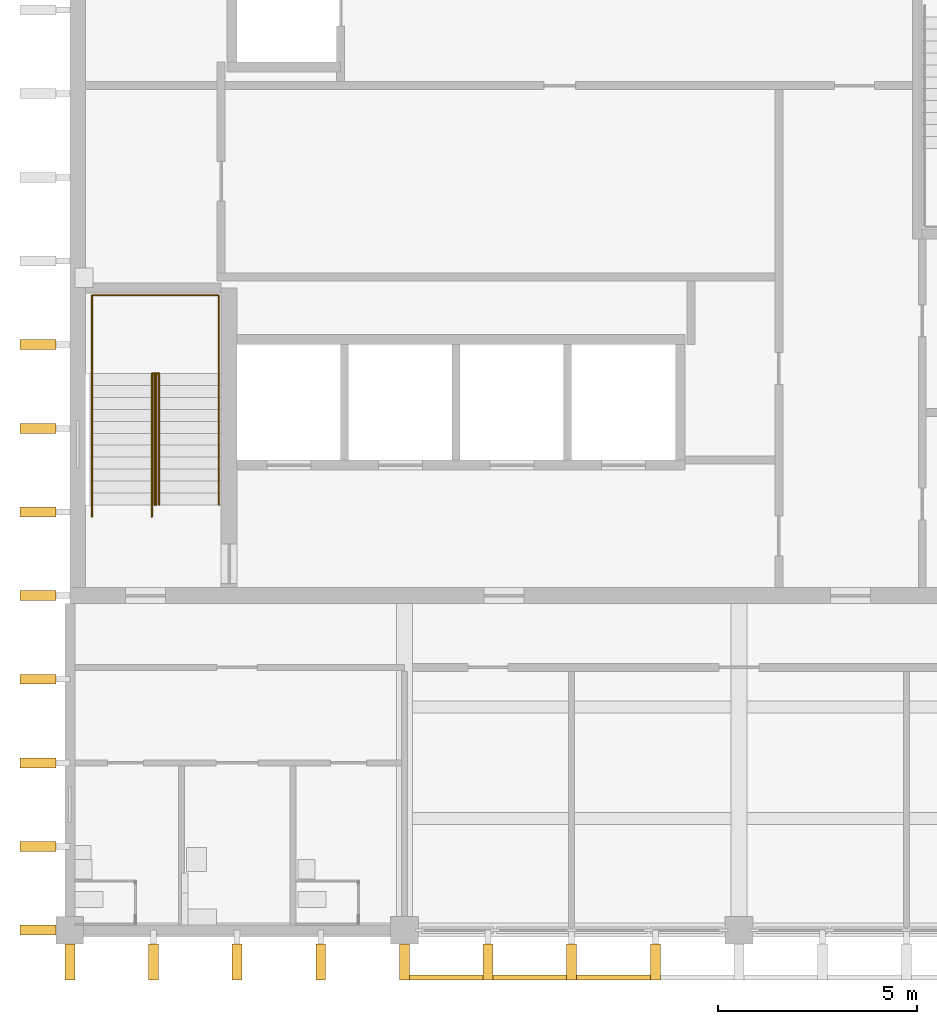
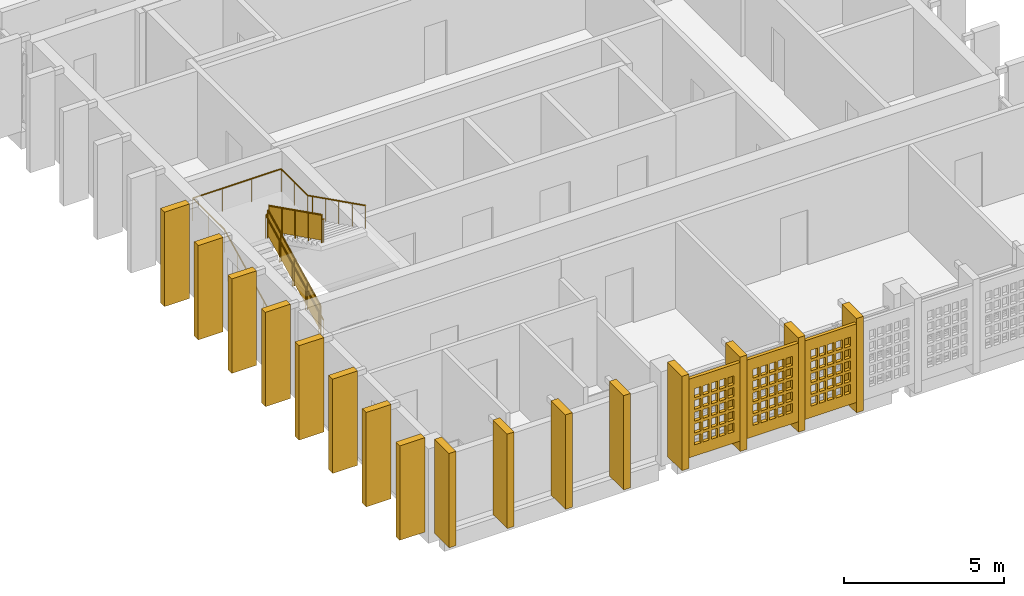
# One storey, part 7 of 13: 19 shading devices, 4 railings, 3 openings.
"""IFC4 building model written with IfcOpenShell, lengths in metres."""

from ifc_helpers import new_model, si_unit, direction, frame, origin, origin_2d, place, context, subcontext, project, spatial, polyline, rectangle, circle, outline, extrude, material, layer, layer_set, material_profile, profile_set, type_object, element, save


model = new_model("IFC4")

# Units and contexts
model_context = context("Model", 3, precision=1e-05, world=origin(), true_north=direction((0.0, 1.0)))
body_context = subcontext(model_context, "Body", "Model", "MODEL_VIEW")
ifc_project = project(units=[si_unit("LENGTHUNIT", "METRE"), si_unit("AREAUNIT", "SQUARE_METRE"), si_unit("VOLUMEUNIT", "CUBIC_METRE"), si_unit("PLANEANGLEUNIT", "RADIAN"), si_unit("MASSUNIT", "GRAM", prefix="KILO")], contexts=[model_context])

# Site, building, storey
site_placement = place(None, origin())
site = spatial("IfcSite", under=ifc_project, at=site_placement, CompositionType="ELEMENT")
building_placement = place(site_placement, origin())
building = spatial("IfcBuilding", under=site, at=building_placement, Name="Rulbaag Community and Learning Centre", CompositionType="ELEMENT")
storey_placement = place(building_placement, frame((0.0, 0.0, 54.0)))
storey = spatial("IfcBuildingStorey", under=building, at=storey_placement, Name="L14", CompositionType="ELEMENT", Elevation=54.0)

# Shading devices
ifc_material_1 = material(Name="Concrete M40", Category="concrete")
ifc_material_profile = material_profile(ifc_material_1, rectangle(XDim=0.25, YDim=0.89990234375, at=origin_2d()), Name="PC 250x900")
ifc_profile_set = profile_set([ifc_material_profile], Name="Concrete M40")
shading_device_type_1 = type_object("IfcShadingDeviceType", Name="FIN-H", PredefinedType="JALOUSIE", material=ifc_profile_set)
for number, where, z_axis, x_axis, name in (
    (1, (142.800048828125, 83.199951171875, 0.0), (0.0, 0.0, 1.0), (1.0, 0.0, 0.0), "Precast fin"),
    (2, (144.89990234375, 83.199951171875, 0.0), (0.0, 0.0, 1.0), (1.0, 0.0, 0.0), "Precast fin"),
    (3, (147.0, 83.199951171875, 0.0), (0.0, 0.0, 1.0), (1.0, 0.0, 0.0), "Precast fin"),
    (4, (149.10009765625, 83.199951171875, 0.0), (0.0, 0.0, 1.0), (1.0, 0.0, 0.0), "Precast fin"),
    (5, (151.199951171875, 83.199951171875, 0.0), (0.0, 0.0, 1.0), (1.0, 0.0, 0.0), "Precast fin"),
    (6, (153.300048828125, 83.199951171875, 0.0), (0.0, 0.0, 1.0), (1.0, 0.0, 0.0), "Precast fin"),
    (7, (155.39990234375, 83.199951171875, 0.0), (0.0, 0.0, 1.0), (1.0, 0.0, 0.0), "Precast fin"),
    (8, (157.5, 83.199951171875, 0.0), (0.0, 0.0, 1.0), (1.0, 0.0, 0.0), "Precast fin"),
    (9, (142.0, 84.0, 0.0), (0.0, 0.0, 1.0), (0.0, 1.0, 0.0), "Precast fin"),
    (10, (142.0, 86.10009765625, 0.0), (0.0, 0.0, 1.0), (0.0, 1.0, 0.0), "Precast fin"),
    (11, (142.0, 88.199951171875, 0.0), (0.0, 0.0, 1.0), (0.0, 1.0, 0.0), "Precast fin"),
    (12, (142.0, 90.300048828125, 0.0), (0.0, 0.0, 1.0), (0.0, 1.0, 0.0), "Precast fin"),
    (13, (142.0, 92.39990234375, 0.0), (0.0, 0.0, 1.0), (0.0, 1.0, 0.0), "Precast fin"),
    (14, (142.0, 94.5, 0.0), (0.0, 0.0, 1.0), (0.0, 1.0, 0.0), "Precast fin"),
    (15, (142.0, 96.60009765625, 0.0), (0.0, 0.0, 1.0), (0.0, 1.0, 0.0), "Precast fin"),
    (16, (142.0, 98.699951171875, 0.0), (0.0, 0.0, 1.0), (0.0, 1.0, 0.0), "Precast fin"),
):
    element("IfcShadingDevice", number, at=place(storey_placement, frame(where, z_axis=z_axis, x_axis=x_axis)), inside=storey, type_object=shading_device_type_1, Name=name, PredefinedType="JALOUSIE", context=body_context, shape_type="SweptSolid", body=[
        extrude(rectangle(XDim=0.25, YDim=0.89990234375, at=origin_2d()), origin(), (0.0, 0.0, 1.0), 3.60009765625),
    ])

# Railings
ifc_material_2 = material(Name="Galvanised mild steel", Category="steel")
railing_type_1 = type_object("IfcRailingType", Name="GR-1100 GUARD 1100", PredefinedType="GUARDRAIL", material=ifc_material_2)
railing_1_placement = place(storey_placement, frame((144.929931640625, 94.675048828125, 0.14990234375)))
element("IfcRailing", 17, at=railing_1_placement, inside=storey, type_object=railing_type_1, Name="Guard ST1 L14 G", PredefinedType="GUARDRAIL", context=body_context, shape_type="SweptSolid", body=[
    extrude(circle(Radius=0.02490234375, at=origin_2d()), frame((0.0, 0.0, 1.0751953125), z_axis=(0.0, 0.894413956696, 0.447240063129), x_axis=(-1.0, 0.0, 0.0)), (0.0, 0.0, 1.0), 3.689697265625),
    extrude(circle(Radius=0.02001953125, at=origin_2d()), origin(), (0.0, 0.0, 1.0), 1.050048828125),
    extrude(circle(Radius=0.02001953125, at=origin_2d()), frame((0.0, 0.824951171875, 0.41259765625)), (0.0, 0.0, 1.0), 1.050048828125),
    extrude(circle(Radius=0.02001953125, at=origin_2d()), frame((0.0, 1.64990234375, 0.8251953125)), (0.0, 0.0, 1.0), 1.050048828125),
    extrude(circle(Radius=0.02001953125, at=origin_2d()), frame((0.0, 2.47509765625, 1.237548828125)), (0.0, 0.0, 1.0), 1.050048828125),
    extrude(circle(Radius=0.02001953125, at=origin_2d()), frame((0.0, 3.300048828125, 1.650146484375)), (0.0, 0.0, 1.0), 1.050048828125),
    extrude(outline(polyline([(0.0, 0.0), (3.300048828125, 1.650146484375), (3.300048828125, 2.60009765625), (0.0, 0.949951171875), (0.0, 0.0)])), frame((-0.0048828125, 0.0, 0.10009765625), z_axis=(1.0, 0.0, 0.0), x_axis=(0.0, 1.0, 0.0)), (0.0, 0.0, 1.0), 0.010009765625),
])
railing_2_placement = place(storey_placement, frame((144.969970703125, 97.97509765625, 1.949951171875)))
element("IfcRailing", 18, at=railing_2_placement, inside=storey, type_object=railing_type_1, Name="Guard ST1 L14 G2", PredefinedType="GUARDRAIL", context=body_context, shape_type="SweptSolid", body=[
    extrude(circle(Radius=0.02490234375, at=origin_2d()), frame((0.0, 0.0, 1.0751953125), z_axis=(0.0, -0.894413956696, 0.447240063129), x_axis=(1.0, 0.0, 0.0)), (0.0, 0.0, 1.0), 3.689697265625),
    extrude(circle(Radius=0.02001953125, at=origin_2d()), origin(), (0.0, 0.0, 1.0), 1.050048828125),
    extrude(circle(Radius=0.02001953125, at=origin_2d()), frame((0.0, -0.824951171875, 0.41259765625)), (0.0, 0.0, 1.0), 1.050048828125),
    extrude(circle(Radius=0.02001953125, at=origin_2d()), frame((0.0, -1.64990234375, 0.8251953125)), (0.0, 0.0, 1.0), 1.050048828125),
    extrude(circle(Radius=0.02001953125, at=origin_2d()), frame((0.0, -2.47509765625, 1.237548828125)), (0.0, 0.0, 1.0), 1.050048828125),
    extrude(circle(Radius=0.02001953125, at=origin_2d()), frame((0.0, -3.300048828125, 1.650146484375)), (0.0, 0.0, 1.0), 1.050048828125),
    extrude(outline(polyline([(0.0, 0.0), (3.300048828125, 1.650146484375), (3.300048828125, 2.60009765625), (0.0, 0.949951171875), (0.0, 0.0)])), frame((0.0048828125, 0.0, 0.10009765625), z_axis=(-1.0, 0.0, 0.0), x_axis=(0.0, -1.0, 0.0)), (0.0, 0.0, 1.0), 0.010009765625),
])
ifc_material_3 = material(Name="Stainless steel grade 316", Category="steel")
railing_type_2 = type_object("IfcRailingType", Name="HR-900 HANDRAIL 900", PredefinedType="HANDRAIL", material=ifc_material_3)
railing_3_placement = place(storey_placement, frame((143.360107421875, 94.375, 0.0)))
element("IfcRailing", 19, at=railing_3_placement, inside=storey, type_object=railing_type_2, Name="Handrail ST1 L14 O", PredefinedType="HANDRAIL", context=body_context, shape_type="SweptSolid", body=[
    extrude(circle(Radius=0.024169921875, at=origin_2d()), frame((0.0, 0.0, 0.875732421875), z_axis=(0.0, 0.894572720946, 0.446922417137), x_axis=(-1.0, 0.0, 0.0)), (0.0, 0.0, 1.0), 0.33544921875),
    extrude(circle(Radius=0.024169921875, at=origin_2d()), frame((0.0, 0.300048828125, 1.025634765625), z_axis=(0.0, 0.894413956696, 0.447240063129), x_axis=(-1.0, 0.0, 0.0)), (0.0, 0.0, 1.0), 3.689697265625),
    extrude(circle(Radius=0.024169921875, at=origin_2d()), frame((0.0, 3.60009765625, 2.67578125), z_axis=(0.0, 1.0, 0.0), x_axis=(-1.0, 0.0, 0.0)), (0.0, 0.0, 1.0), 1.96484375),
    extrude(circle(Radius=0.024169921875, at=origin_2d()), frame((0.0, 5.56494140625, 2.67578125), z_axis=(1.0, 0.0, 0.0), x_axis=(0.0, 1.0, 0.0)), (0.0, 0.0, 1.0), 3.179931640625),
    extrude(circle(Radius=0.024169921875, at=origin_2d()), frame((3.179931640625, 5.56494140625, 2.67578125), z_axis=(0.0, -1.0, 0.0), x_axis=(1.0, 0.0, 0.0)), (0.0, 0.0, 1.0), 1.6650390625),
    extrude(circle(Radius=0.024169921875, at=origin_2d()), frame((3.179931640625, 3.89990234375, 2.67578125), z_axis=(0.0, -0.894427191, 0.4472135955), x_axis=(1.0, 0.0, 0.0)), (0.0, 0.0, 1.0), 0.335205078125),
    extrude(circle(Radius=0.024169921875, at=origin_2d()), frame((3.179931640625, 3.60009765625, 2.82568359375), z_axis=(0.0, -0.894413956696, 0.447240063129), x_axis=(1.0, 0.0, 0.0)), (0.0, 0.0, 1.0), 3.689697265625),
    extrude(circle(Radius=0.008056640625, at=origin_2d()), origin(), (0.0, 0.0, 1.0), 0.8515625),
    extrude(circle(Radius=0.008056640625, at=origin_2d()), frame((0.0, 0.300048828125, 0.14990234375)), (0.0, 0.0, 1.0), 0.8515625),
    extrude(circle(Radius=0.008056640625, at=origin_2d()), frame((0.0, 1.125, 0.5625)), (0.0, 0.0, 1.0), 0.8515625),
    extrude(circle(Radius=0.008056640625, at=origin_2d()), frame((0.0, 1.9501953125, 0.97509765625)), (0.0, 0.0, 1.0), 0.8515625),
    extrude(circle(Radius=0.008056640625, at=origin_2d()), frame((0.0, 2.775146484375, 1.387451171875)), (0.0, 0.0, 1.0), 0.8515625),
    extrude(circle(Radius=0.008056640625, at=origin_2d()), frame((0.0, 3.60009765625, 1.800048828125)), (0.0, 0.0, 1.0), 0.8515625),
    extrude(circle(Radius=0.008056640625, at=origin_2d()), frame((0.0, 4.58251953125, 1.800048828125)), (0.0, 0.0, 1.0), 0.8515625),
    extrude(circle(Radius=0.008056640625, at=origin_2d()), frame((0.0, 5.56494140625, 1.800048828125)), (0.0, 0.0, 1.0), 0.8515625),
    extrude(circle(Radius=0.008056640625, at=origin_2d()), frame((1.06005859375, 5.56494140625, 1.800048828125)), (0.0, 0.0, 1.0), 0.8515625),
    extrude(circle(Radius=0.008056640625, at=origin_2d()), frame((2.119873046875, 5.56494140625, 1.800048828125)), (0.0, 0.0, 1.0), 0.8515625),
    extrude(circle(Radius=0.008056640625, at=origin_2d()), frame((3.179931640625, 5.56494140625, 1.800048828125)), (0.0, 0.0, 1.0), 0.8515625),
    extrude(circle(Radius=0.008056640625, at=origin_2d()), frame((3.179931640625, 4.732421875, 1.800048828125)), (0.0, 0.0, 1.0), 0.8515625),
    extrude(circle(Radius=0.008056640625, at=origin_2d()), frame((3.179931640625, 3.89990234375, 1.800048828125)), (0.0, 0.0, 1.0), 0.8515625),
    extrude(circle(Radius=0.008056640625, at=origin_2d()), frame((3.179931640625, 3.60009765625, 1.949951171875)), (0.0, 0.0, 1.0), 0.8515625),
    extrude(circle(Radius=0.008056640625, at=origin_2d()), frame((3.179931640625, 2.775146484375, 2.362548828125)), (0.0, 0.0, 1.0), 0.8515625),
    extrude(circle(Radius=0.008056640625, at=origin_2d()), frame((3.179931640625, 1.9501953125, 2.77490234375)), (0.0, 0.0, 1.0), 0.8515625),
    extrude(circle(Radius=0.008056640625, at=origin_2d()), frame((3.179931640625, 1.125, 3.1875)), (0.0, 0.0, 1.0), 0.8515625),
    extrude(circle(Radius=0.008056640625, at=origin_2d()), frame((3.179931640625, 0.300048828125, 3.60009765625)), (0.0, 0.0, 1.0), 0.8515625),
])
railing_4_placement = place(storey_placement, frame((144.860107421875, 94.375, 0.0)))
element("IfcRailing", 20, at=railing_4_placement, inside=storey, type_object=railing_type_2, Name="Handrail ST1 L14 I", PredefinedType="HANDRAIL", context=body_context, shape_type="SweptSolid", body=[
    extrude(circle(Radius=0.024169921875, at=origin_2d()), frame((0.0, 0.0, 0.875732421875), z_axis=(0.0, 0.894572720946, 0.446922417137), x_axis=(-1.0, 0.0, 0.0)), (0.0, 0.0, 1.0), 0.33544921875),
    extrude(circle(Radius=0.024169921875, at=origin_2d()), frame((0.0, 0.300048828125, 1.025634765625), z_axis=(0.0, 0.894413956696, 0.447240063129), x_axis=(-1.0, 0.0, 0.0)), (0.0, 0.0, 1.0), 3.689697265625),
    extrude(circle(Radius=0.024169921875, at=origin_2d()), frame((0.0, 3.60009765625, 2.67578125), z_axis=(0.768306721819, 0.0, 0.640081855084), x_axis=(0.0, 1.0, 0.0)), (0.0, 0.0, 1.0), 0.234130859375),
    extrude(circle(Radius=0.024169921875, at=origin_2d()), frame((0.179931640625, 3.60009765625, 2.82568359375), z_axis=(0.0, -0.894413956696, 0.447240063129), x_axis=(1.0, 0.0, 0.0)), (0.0, 0.0, 1.0), 3.689697265625),
    extrude(circle(Radius=0.008056640625, at=origin_2d()), origin(), (0.0, 0.0, 1.0), 0.8515625),
    extrude(circle(Radius=0.008056640625, at=origin_2d()), frame((0.0, 0.300048828125, 0.14990234375)), (0.0, 0.0, 1.0), 0.8515625),
    extrude(circle(Radius=0.008056640625, at=origin_2d()), frame((0.0, 1.125, 0.5625)), (0.0, 0.0, 1.0), 0.8515625),
    extrude(circle(Radius=0.008056640625, at=origin_2d()), frame((0.0, 1.9501953125, 0.97509765625)), (0.0, 0.0, 1.0), 0.8515625),
    extrude(circle(Radius=0.008056640625, at=origin_2d()), frame((0.0, 2.775146484375, 1.387451171875)), (0.0, 0.0, 1.0), 0.8515625),
    extrude(circle(Radius=0.008056640625, at=origin_2d()), frame((0.0, 3.60009765625, 1.800048828125)), (0.0, 0.0, 1.0), 0.8515625),
    extrude(circle(Radius=0.008056640625, at=origin_2d()), frame((0.179931640625, 3.60009765625, 1.949951171875)), (0.0, 0.0, 1.0), 0.8515625),
    extrude(circle(Radius=0.008056640625, at=origin_2d()), frame((0.179931640625, 2.775146484375, 2.362548828125)), (0.0, 0.0, 1.0), 0.8515625),
    extrude(circle(Radius=0.008056640625, at=origin_2d()), frame((0.179931640625, 1.9501953125, 2.77490234375)), (0.0, 0.0, 1.0), 0.8515625),
    extrude(circle(Radius=0.008056640625, at=origin_2d()), frame((0.179931640625, 1.125, 3.1875)), (0.0, 0.0, 1.0), 0.8515625),
    extrude(circle(Radius=0.008056640625, at=origin_2d()), frame((0.179931640625, 0.300048828125, 3.60009765625)), (0.0, 0.0, 1.0), 0.8515625),
])

# Shading device, opening
ifc_layer = layer(ifc_material_1, 0.1201171875)
ifc_layer_set = layer_set([ifc_layer], Name="JB-83")
shading_device_type_2 = type_object("IfcShadingDeviceType", Name="JB-83", PredefinedType="SHUTTER", material=ifc_layer_set)
shading_device_1_placement = place(storey_placement, frame((152.25, 82.81005859375, 0.39990234375), z_axis=(0.0, 0.0, 1.0), x_axis=(1.0, 0.0, 0.0)))
shading_device_1 = element("IfcShadingDevice", 21, at=shading_device_1_placement, inside=storey, type_object=shading_device_type_2, Name="Jaali screen", PredefinedType="SHUTTER", context=body_context, shape_type="SweptSolid", body=[
    extrude(rectangle(XDim=1.85009765625, YDim=0.1201171875, at=origin_2d()), origin(), (0.0, 0.0, 1.0), 3.0),
])
opening_1_placement = place(shading_device_1_placement, origin())
element("IfcOpeningElement", 22, at=opening_1_placement, cuts=shading_device_1, Name="Perforation JB1", PredefinedType="OPENING", context=body_context, shape_type="SweptSolid", body=[
    extrude(rectangle(XDim=0.22509765625, YDim=0.340087890625, at=origin_2d()), frame((-0.60009765625, -0.070068359375, 0.60009765625), z_axis=(0.0, 1.0, 0.0), x_axis=(1.0, 0.0, 0.0)), (0.0, 0.0, 1.0), 0.139892578125),
    extrude(rectangle(XDim=0.22509765625, YDim=0.340087890625, at=origin_2d()), frame((-0.300048828125, -0.070068359375, 0.60009765625), z_axis=(0.0, 1.0, 0.0), x_axis=(1.0, 0.0, 0.0)), (0.0, 0.0, 1.0), 0.139892578125),
    extrude(rectangle(XDim=0.22509765625, YDim=0.340087890625, at=origin_2d()), frame((0.0, -0.070068359375, 0.60009765625), z_axis=(0.0, 1.0, 0.0), x_axis=(1.0, 0.0, 0.0)), (0.0, 0.0, 1.0), 0.139892578125),
    extrude(rectangle(XDim=0.22509765625, YDim=0.340087890625, at=origin_2d()), frame((0.300048828125, -0.070068359375, 0.60009765625), z_axis=(0.0, 1.0, 0.0), x_axis=(1.0, 0.0, 0.0)), (0.0, 0.0, 1.0), 0.139892578125),
    extrude(rectangle(XDim=0.22509765625, YDim=0.340087890625, at=origin_2d()), frame((0.60009765625, -0.070068359375, 0.60009765625), z_axis=(0.0, 1.0, 0.0), x_axis=(1.0, 0.0, 0.0)), (0.0, 0.0, 1.0), 0.139892578125),
    extrude(rectangle(XDim=0.22509765625, YDim=0.340087890625, at=origin_2d()), frame((-0.60009765625, -0.070068359375, 1.050048828125), z_axis=(0.0, 1.0, 0.0), x_axis=(1.0, 0.0, 0.0)), (0.0, 0.0, 1.0), 0.139892578125),
    extrude(rectangle(XDim=0.22509765625, YDim=0.340087890625, at=origin_2d()), frame((-0.300048828125, -0.070068359375, 1.050048828125), z_axis=(0.0, 1.0, 0.0), x_axis=(1.0, 0.0, 0.0)), (0.0, 0.0, 1.0), 0.139892578125),
    extrude(rectangle(XDim=0.22509765625, YDim=0.340087890625, at=origin_2d()), frame((0.0, -0.070068359375, 1.050048828125), z_axis=(0.0, 1.0, 0.0), x_axis=(1.0, 0.0, 0.0)), (0.0, 0.0, 1.0), 0.139892578125),
    extrude(rectangle(XDim=0.22509765625, YDim=0.340087890625, at=origin_2d()), frame((0.300048828125, -0.070068359375, 1.050048828125), z_axis=(0.0, 1.0, 0.0), x_axis=(1.0, 0.0, 0.0)), (0.0, 0.0, 1.0), 0.139892578125),
    extrude(rectangle(XDim=0.22509765625, YDim=0.340087890625, at=origin_2d()), frame((0.60009765625, -0.070068359375, 1.050048828125), z_axis=(0.0, 1.0, 0.0), x_axis=(1.0, 0.0, 0.0)), (0.0, 0.0, 1.0), 0.139892578125),
    extrude(rectangle(XDim=0.22509765625, YDim=0.340087890625, at=origin_2d()), frame((-0.60009765625, -0.070068359375, 1.5), z_axis=(0.0, 1.0, 0.0), x_axis=(1.0, 0.0, 0.0)), (0.0, 0.0, 1.0), 0.139892578125),
    extrude(rectangle(XDim=0.22509765625, YDim=0.340087890625, at=origin_2d()), frame((-0.300048828125, -0.070068359375, 1.5), z_axis=(0.0, 1.0, 0.0), x_axis=(1.0, 0.0, 0.0)), (0.0, 0.0, 1.0), 0.139892578125),
    extrude(rectangle(XDim=0.22509765625, YDim=0.340087890625, at=origin_2d()), frame((0.0, -0.070068359375, 1.5), z_axis=(0.0, 1.0, 0.0), x_axis=(1.0, 0.0, 0.0)), (0.0, 0.0, 1.0), 0.139892578125),
    extrude(rectangle(XDim=0.22509765625, YDim=0.340087890625, at=origin_2d()), frame((0.300048828125, -0.070068359375, 1.5), z_axis=(0.0, 1.0, 0.0), x_axis=(1.0, 0.0, 0.0)), (0.0, 0.0, 1.0), 0.139892578125),
    extrude(rectangle(XDim=0.22509765625, YDim=0.340087890625, at=origin_2d()), frame((0.60009765625, -0.070068359375, 1.5), z_axis=(0.0, 1.0, 0.0), x_axis=(1.0, 0.0, 0.0)), (0.0, 0.0, 1.0), 0.139892578125),
    extrude(rectangle(XDim=0.22509765625, YDim=0.340087890625, at=origin_2d()), frame((-0.60009765625, -0.070068359375, 1.949951171875), z_axis=(0.0, 1.0, 0.0), x_axis=(1.0, 0.0, 0.0)), (0.0, 0.0, 1.0), 0.139892578125),
    extrude(rectangle(XDim=0.22509765625, YDim=0.340087890625, at=origin_2d()), frame((-0.300048828125, -0.070068359375, 1.949951171875), z_axis=(0.0, 1.0, 0.0), x_axis=(1.0, 0.0, 0.0)), (0.0, 0.0, 1.0), 0.139892578125),
    extrude(rectangle(XDim=0.22509765625, YDim=0.340087890625, at=origin_2d()), frame((0.0, -0.070068359375, 1.949951171875), z_axis=(0.0, 1.0, 0.0), x_axis=(1.0, 0.0, 0.0)), (0.0, 0.0, 1.0), 0.139892578125),
    extrude(rectangle(XDim=0.22509765625, YDim=0.340087890625, at=origin_2d()), frame((0.300048828125, -0.070068359375, 1.949951171875), z_axis=(0.0, 1.0, 0.0), x_axis=(1.0, 0.0, 0.0)), (0.0, 0.0, 1.0), 0.139892578125),
    extrude(rectangle(XDim=0.22509765625, YDim=0.340087890625, at=origin_2d()), frame((0.60009765625, -0.070068359375, 1.949951171875), z_axis=(0.0, 1.0, 0.0), x_axis=(1.0, 0.0, 0.0)), (0.0, 0.0, 1.0), 0.139892578125),
    extrude(rectangle(XDim=0.22509765625, YDim=0.340087890625, at=origin_2d()), frame((-0.60009765625, -0.070068359375, 2.39990234375), z_axis=(0.0, 1.0, 0.0), x_axis=(1.0, 0.0, 0.0)), (0.0, 0.0, 1.0), 0.139892578125),
    extrude(rectangle(XDim=0.22509765625, YDim=0.340087890625, at=origin_2d()), frame((-0.300048828125, -0.070068359375, 2.39990234375), z_axis=(0.0, 1.0, 0.0), x_axis=(1.0, 0.0, 0.0)), (0.0, 0.0, 1.0), 0.139892578125),
    extrude(rectangle(XDim=0.22509765625, YDim=0.340087890625, at=origin_2d()), frame((0.0, -0.070068359375, 2.39990234375), z_axis=(0.0, 1.0, 0.0), x_axis=(1.0, 0.0, 0.0)), (0.0, 0.0, 1.0), 0.139892578125),
    extrude(rectangle(XDim=0.22509765625, YDim=0.340087890625, at=origin_2d()), frame((0.300048828125, -0.070068359375, 2.39990234375), z_axis=(0.0, 1.0, 0.0), x_axis=(1.0, 0.0, 0.0)), (0.0, 0.0, 1.0), 0.139892578125),
    extrude(rectangle(XDim=0.22509765625, YDim=0.340087890625, at=origin_2d()), frame((0.60009765625, -0.070068359375, 2.39990234375), z_axis=(0.0, 1.0, 0.0), x_axis=(1.0, 0.0, 0.0)), (0.0, 0.0, 1.0), 0.139892578125),
])

shading_device_2_placement = place(storey_placement, frame((154.35009765625, 82.81005859375, 0.39990234375), z_axis=(0.0, 0.0, 1.0), x_axis=(1.0, 0.0, 0.0)))
shading_device_2 = element("IfcShadingDevice", 23, at=shading_device_2_placement, inside=storey, type_object=shading_device_type_2, Name="Jaali screen", PredefinedType="SHUTTER", context=body_context, shape_type="SweptSolid", body=[
    extrude(rectangle(XDim=1.85009765625, YDim=0.1201171875, at=origin_2d()), origin(), (0.0, 0.0, 1.0), 3.0),
])
opening_2_placement = place(shading_device_2_placement, origin())
element("IfcOpeningElement", 24, at=opening_2_placement, cuts=shading_device_2, Name="Perforation JB1", PredefinedType="OPENING", context=body_context, shape_type="SweptSolid", body=[
    extrude(rectangle(XDim=0.22509765625, YDim=0.340087890625, at=origin_2d()), frame((-0.60009765625, -0.070068359375, 0.60009765625), z_axis=(0.0, 1.0, 0.0), x_axis=(1.0, 0.0, 0.0)), (0.0, 0.0, 1.0), 0.139892578125),
    extrude(rectangle(XDim=0.22509765625, YDim=0.340087890625, at=origin_2d()), frame((-0.300048828125, -0.070068359375, 0.60009765625), z_axis=(0.0, 1.0, 0.0), x_axis=(1.0, 0.0, 0.0)), (0.0, 0.0, 1.0), 0.139892578125),
    extrude(rectangle(XDim=0.22509765625, YDim=0.340087890625, at=origin_2d()), frame((0.0, -0.070068359375, 0.60009765625), z_axis=(0.0, 1.0, 0.0), x_axis=(1.0, 0.0, 0.0)), (0.0, 0.0, 1.0), 0.139892578125),
    extrude(rectangle(XDim=0.22509765625, YDim=0.340087890625, at=origin_2d()), frame((0.300048828125, -0.070068359375, 0.60009765625), z_axis=(0.0, 1.0, 0.0), x_axis=(1.0, 0.0, 0.0)), (0.0, 0.0, 1.0), 0.139892578125),
    extrude(rectangle(XDim=0.22509765625, YDim=0.340087890625, at=origin_2d()), frame((0.60009765625, -0.070068359375, 0.60009765625), z_axis=(0.0, 1.0, 0.0), x_axis=(1.0, 0.0, 0.0)), (0.0, 0.0, 1.0), 0.139892578125),
    extrude(rectangle(XDim=0.22509765625, YDim=0.340087890625, at=origin_2d()), frame((-0.60009765625, -0.070068359375, 1.050048828125), z_axis=(0.0, 1.0, 0.0), x_axis=(1.0, 0.0, 0.0)), (0.0, 0.0, 1.0), 0.139892578125),
    extrude(rectangle(XDim=0.22509765625, YDim=0.340087890625, at=origin_2d()), frame((-0.300048828125, -0.070068359375, 1.050048828125), z_axis=(0.0, 1.0, 0.0), x_axis=(1.0, 0.0, 0.0)), (0.0, 0.0, 1.0), 0.139892578125),
    extrude(rectangle(XDim=0.22509765625, YDim=0.340087890625, at=origin_2d()), frame((0.0, -0.070068359375, 1.050048828125), z_axis=(0.0, 1.0, 0.0), x_axis=(1.0, 0.0, 0.0)), (0.0, 0.0, 1.0), 0.139892578125),
    extrude(rectangle(XDim=0.22509765625, YDim=0.340087890625, at=origin_2d()), frame((0.300048828125, -0.070068359375, 1.050048828125), z_axis=(0.0, 1.0, 0.0), x_axis=(1.0, 0.0, 0.0)), (0.0, 0.0, 1.0), 0.139892578125),
    extrude(rectangle(XDim=0.22509765625, YDim=0.340087890625, at=origin_2d()), frame((0.60009765625, -0.070068359375, 1.050048828125), z_axis=(0.0, 1.0, 0.0), x_axis=(1.0, 0.0, 0.0)), (0.0, 0.0, 1.0), 0.139892578125),
    extrude(rectangle(XDim=0.22509765625, YDim=0.340087890625, at=origin_2d()), frame((-0.60009765625, -0.070068359375, 1.5), z_axis=(0.0, 1.0, 0.0), x_axis=(1.0, 0.0, 0.0)), (0.0, 0.0, 1.0), 0.139892578125),
    extrude(rectangle(XDim=0.22509765625, YDim=0.340087890625, at=origin_2d()), frame((-0.300048828125, -0.070068359375, 1.5), z_axis=(0.0, 1.0, 0.0), x_axis=(1.0, 0.0, 0.0)), (0.0, 0.0, 1.0), 0.139892578125),
    extrude(rectangle(XDim=0.22509765625, YDim=0.340087890625, at=origin_2d()), frame((0.0, -0.070068359375, 1.5), z_axis=(0.0, 1.0, 0.0), x_axis=(1.0, 0.0, 0.0)), (0.0, 0.0, 1.0), 0.139892578125),
    extrude(rectangle(XDim=0.22509765625, YDim=0.340087890625, at=origin_2d()), frame((0.300048828125, -0.070068359375, 1.5), z_axis=(0.0, 1.0, 0.0), x_axis=(1.0, 0.0, 0.0)), (0.0, 0.0, 1.0), 0.139892578125),
    extrude(rectangle(XDim=0.22509765625, YDim=0.340087890625, at=origin_2d()), frame((0.60009765625, -0.070068359375, 1.5), z_axis=(0.0, 1.0, 0.0), x_axis=(1.0, 0.0, 0.0)), (0.0, 0.0, 1.0), 0.139892578125),
    extrude(rectangle(XDim=0.22509765625, YDim=0.340087890625, at=origin_2d()), frame((-0.60009765625, -0.070068359375, 1.949951171875), z_axis=(0.0, 1.0, 0.0), x_axis=(1.0, 0.0, 0.0)), (0.0, 0.0, 1.0), 0.139892578125),
    extrude(rectangle(XDim=0.22509765625, YDim=0.340087890625, at=origin_2d()), frame((-0.300048828125, -0.070068359375, 1.949951171875), z_axis=(0.0, 1.0, 0.0), x_axis=(1.0, 0.0, 0.0)), (0.0, 0.0, 1.0), 0.139892578125),
    extrude(rectangle(XDim=0.22509765625, YDim=0.340087890625, at=origin_2d()), frame((0.0, -0.070068359375, 1.949951171875), z_axis=(0.0, 1.0, 0.0), x_axis=(1.0, 0.0, 0.0)), (0.0, 0.0, 1.0), 0.139892578125),
    extrude(rectangle(XDim=0.22509765625, YDim=0.340087890625, at=origin_2d()), frame((0.300048828125, -0.070068359375, 1.949951171875), z_axis=(0.0, 1.0, 0.0), x_axis=(1.0, 0.0, 0.0)), (0.0, 0.0, 1.0), 0.139892578125),
    extrude(rectangle(XDim=0.22509765625, YDim=0.340087890625, at=origin_2d()), frame((0.60009765625, -0.070068359375, 1.949951171875), z_axis=(0.0, 1.0, 0.0), x_axis=(1.0, 0.0, 0.0)), (0.0, 0.0, 1.0), 0.139892578125),
    extrude(rectangle(XDim=0.22509765625, YDim=0.340087890625, at=origin_2d()), frame((-0.60009765625, -0.070068359375, 2.39990234375), z_axis=(0.0, 1.0, 0.0), x_axis=(1.0, 0.0, 0.0)), (0.0, 0.0, 1.0), 0.139892578125),
    extrude(rectangle(XDim=0.22509765625, YDim=0.340087890625, at=origin_2d()), frame((-0.300048828125, -0.070068359375, 2.39990234375), z_axis=(0.0, 1.0, 0.0), x_axis=(1.0, 0.0, 0.0)), (0.0, 0.0, 1.0), 0.139892578125),
    extrude(rectangle(XDim=0.22509765625, YDim=0.340087890625, at=origin_2d()), frame((0.0, -0.070068359375, 2.39990234375), z_axis=(0.0, 1.0, 0.0), x_axis=(1.0, 0.0, 0.0)), (0.0, 0.0, 1.0), 0.139892578125),
    extrude(rectangle(XDim=0.22509765625, YDim=0.340087890625, at=origin_2d()), frame((0.300048828125, -0.070068359375, 2.39990234375), z_axis=(0.0, 1.0, 0.0), x_axis=(1.0, 0.0, 0.0)), (0.0, 0.0, 1.0), 0.139892578125),
    extrude(rectangle(XDim=0.22509765625, YDim=0.340087890625, at=origin_2d()), frame((0.60009765625, -0.070068359375, 2.39990234375), z_axis=(0.0, 1.0, 0.0), x_axis=(1.0, 0.0, 0.0)), (0.0, 0.0, 1.0), 0.139892578125),
])

shading_device_3_placement = place(storey_placement, frame((156.449951171875, 82.81005859375, 0.39990234375), z_axis=(0.0, 0.0, 1.0), x_axis=(1.0, 0.0, 0.0)))
shading_device_3 = element("IfcShadingDevice", 25, at=shading_device_3_placement, inside=storey, type_object=shading_device_type_2, Name="Jaali screen", PredefinedType="SHUTTER", context=body_context, shape_type="SweptSolid", body=[
    extrude(rectangle(XDim=1.85009765625, YDim=0.1201171875, at=origin_2d()), origin(), (0.0, 0.0, 1.0), 3.0),
])
opening_3_placement = place(shading_device_3_placement, origin())
element("IfcOpeningElement", 26, at=opening_3_placement, cuts=shading_device_3, Name="Perforation JB1", PredefinedType="OPENING", context=body_context, shape_type="SweptSolid", body=[
    extrude(rectangle(XDim=0.22509765625, YDim=0.340087890625, at=origin_2d()), frame((-0.60009765625, -0.070068359375, 0.60009765625), z_axis=(0.0, 1.0, 0.0), x_axis=(1.0, 0.0, 0.0)), (0.0, 0.0, 1.0), 0.139892578125),
    extrude(rectangle(XDim=0.22509765625, YDim=0.340087890625, at=origin_2d()), frame((-0.300048828125, -0.070068359375, 0.60009765625), z_axis=(0.0, 1.0, 0.0), x_axis=(1.0, 0.0, 0.0)), (0.0, 0.0, 1.0), 0.139892578125),
    extrude(rectangle(XDim=0.22509765625, YDim=0.340087890625, at=origin_2d()), frame((0.0, -0.070068359375, 0.60009765625), z_axis=(0.0, 1.0, 0.0), x_axis=(1.0, 0.0, 0.0)), (0.0, 0.0, 1.0), 0.139892578125),
    extrude(rectangle(XDim=0.22509765625, YDim=0.340087890625, at=origin_2d()), frame((0.300048828125, -0.070068359375, 0.60009765625), z_axis=(0.0, 1.0, 0.0), x_axis=(1.0, 0.0, 0.0)), (0.0, 0.0, 1.0), 0.139892578125),
    extrude(rectangle(XDim=0.22509765625, YDim=0.340087890625, at=origin_2d()), frame((0.60009765625, -0.070068359375, 0.60009765625), z_axis=(0.0, 1.0, 0.0), x_axis=(1.0, 0.0, 0.0)), (0.0, 0.0, 1.0), 0.139892578125),
    extrude(rectangle(XDim=0.22509765625, YDim=0.340087890625, at=origin_2d()), frame((-0.60009765625, -0.070068359375, 1.050048828125), z_axis=(0.0, 1.0, 0.0), x_axis=(1.0, 0.0, 0.0)), (0.0, 0.0, 1.0), 0.139892578125),
    extrude(rectangle(XDim=0.22509765625, YDim=0.340087890625, at=origin_2d()), frame((-0.300048828125, -0.070068359375, 1.050048828125), z_axis=(0.0, 1.0, 0.0), x_axis=(1.0, 0.0, 0.0)), (0.0, 0.0, 1.0), 0.139892578125),
    extrude(rectangle(XDim=0.22509765625, YDim=0.340087890625, at=origin_2d()), frame((0.0, -0.070068359375, 1.050048828125), z_axis=(0.0, 1.0, 0.0), x_axis=(1.0, 0.0, 0.0)), (0.0, 0.0, 1.0), 0.139892578125),
    extrude(rectangle(XDim=0.22509765625, YDim=0.340087890625, at=origin_2d()), frame((0.300048828125, -0.070068359375, 1.050048828125), z_axis=(0.0, 1.0, 0.0), x_axis=(1.0, 0.0, 0.0)), (0.0, 0.0, 1.0), 0.139892578125),
    extrude(rectangle(XDim=0.22509765625, YDim=0.340087890625, at=origin_2d()), frame((0.60009765625, -0.070068359375, 1.050048828125), z_axis=(0.0, 1.0, 0.0), x_axis=(1.0, 0.0, 0.0)), (0.0, 0.0, 1.0), 0.139892578125),
    extrude(rectangle(XDim=0.22509765625, YDim=0.340087890625, at=origin_2d()), frame((-0.60009765625, -0.070068359375, 1.5), z_axis=(0.0, 1.0, 0.0), x_axis=(1.0, 0.0, 0.0)), (0.0, 0.0, 1.0), 0.139892578125),
    extrude(rectangle(XDim=0.22509765625, YDim=0.340087890625, at=origin_2d()), frame((-0.300048828125, -0.070068359375, 1.5), z_axis=(0.0, 1.0, 0.0), x_axis=(1.0, 0.0, 0.0)), (0.0, 0.0, 1.0), 0.139892578125),
    extrude(rectangle(XDim=0.22509765625, YDim=0.340087890625, at=origin_2d()), frame((0.0, -0.070068359375, 1.5), z_axis=(0.0, 1.0, 0.0), x_axis=(1.0, 0.0, 0.0)), (0.0, 0.0, 1.0), 0.139892578125),
    extrude(rectangle(XDim=0.22509765625, YDim=0.340087890625, at=origin_2d()), frame((0.300048828125, -0.070068359375, 1.5), z_axis=(0.0, 1.0, 0.0), x_axis=(1.0, 0.0, 0.0)), (0.0, 0.0, 1.0), 0.139892578125),
    extrude(rectangle(XDim=0.22509765625, YDim=0.340087890625, at=origin_2d()), frame((0.60009765625, -0.070068359375, 1.5), z_axis=(0.0, 1.0, 0.0), x_axis=(1.0, 0.0, 0.0)), (0.0, 0.0, 1.0), 0.139892578125),
    extrude(rectangle(XDim=0.22509765625, YDim=0.340087890625, at=origin_2d()), frame((-0.60009765625, -0.070068359375, 1.949951171875), z_axis=(0.0, 1.0, 0.0), x_axis=(1.0, 0.0, 0.0)), (0.0, 0.0, 1.0), 0.139892578125),
    extrude(rectangle(XDim=0.22509765625, YDim=0.340087890625, at=origin_2d()), frame((-0.300048828125, -0.070068359375, 1.949951171875), z_axis=(0.0, 1.0, 0.0), x_axis=(1.0, 0.0, 0.0)), (0.0, 0.0, 1.0), 0.139892578125),
    extrude(rectangle(XDim=0.22509765625, YDim=0.340087890625, at=origin_2d()), frame((0.0, -0.070068359375, 1.949951171875), z_axis=(0.0, 1.0, 0.0), x_axis=(1.0, 0.0, 0.0)), (0.0, 0.0, 1.0), 0.139892578125),
    extrude(rectangle(XDim=0.22509765625, YDim=0.340087890625, at=origin_2d()), frame((0.300048828125, -0.070068359375, 1.949951171875), z_axis=(0.0, 1.0, 0.0), x_axis=(1.0, 0.0, 0.0)), (0.0, 0.0, 1.0), 0.139892578125),
    extrude(rectangle(XDim=0.22509765625, YDim=0.340087890625, at=origin_2d()), frame((0.60009765625, -0.070068359375, 1.949951171875), z_axis=(0.0, 1.0, 0.0), x_axis=(1.0, 0.0, 0.0)), (0.0, 0.0, 1.0), 0.139892578125),
    extrude(rectangle(XDim=0.22509765625, YDim=0.340087890625, at=origin_2d()), frame((-0.60009765625, -0.070068359375, 2.39990234375), z_axis=(0.0, 1.0, 0.0), x_axis=(1.0, 0.0, 0.0)), (0.0, 0.0, 1.0), 0.139892578125),
    extrude(rectangle(XDim=0.22509765625, YDim=0.340087890625, at=origin_2d()), frame((-0.300048828125, -0.070068359375, 2.39990234375), z_axis=(0.0, 1.0, 0.0), x_axis=(1.0, 0.0, 0.0)), (0.0, 0.0, 1.0), 0.139892578125),
    extrude(rectangle(XDim=0.22509765625, YDim=0.340087890625, at=origin_2d()), frame((0.0, -0.070068359375, 2.39990234375), z_axis=(0.0, 1.0, 0.0), x_axis=(1.0, 0.0, 0.0)), (0.0, 0.0, 1.0), 0.139892578125),
    extrude(rectangle(XDim=0.22509765625, YDim=0.340087890625, at=origin_2d()), frame((0.300048828125, -0.070068359375, 2.39990234375), z_axis=(0.0, 1.0, 0.0), x_axis=(1.0, 0.0, 0.0)), (0.0, 0.0, 1.0), 0.139892578125),
    extrude(rectangle(XDim=0.22509765625, YDim=0.340087890625, at=origin_2d()), frame((0.60009765625, -0.070068359375, 2.39990234375), z_axis=(0.0, 1.0, 0.0), x_axis=(1.0, 0.0, 0.0)), (0.0, 0.0, 1.0), 0.139892578125),
])

save(model, "model.ifc")
